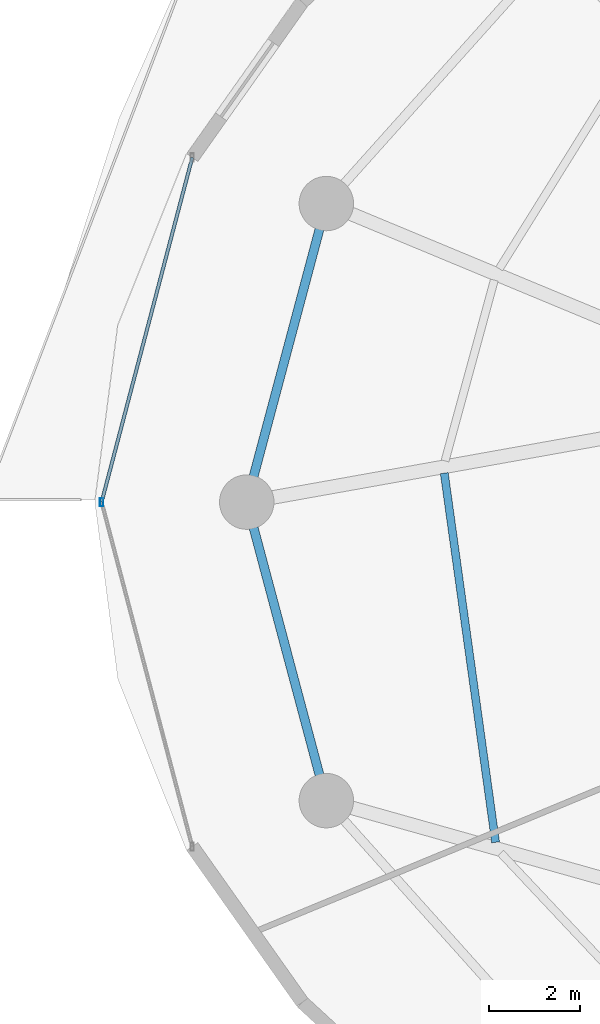
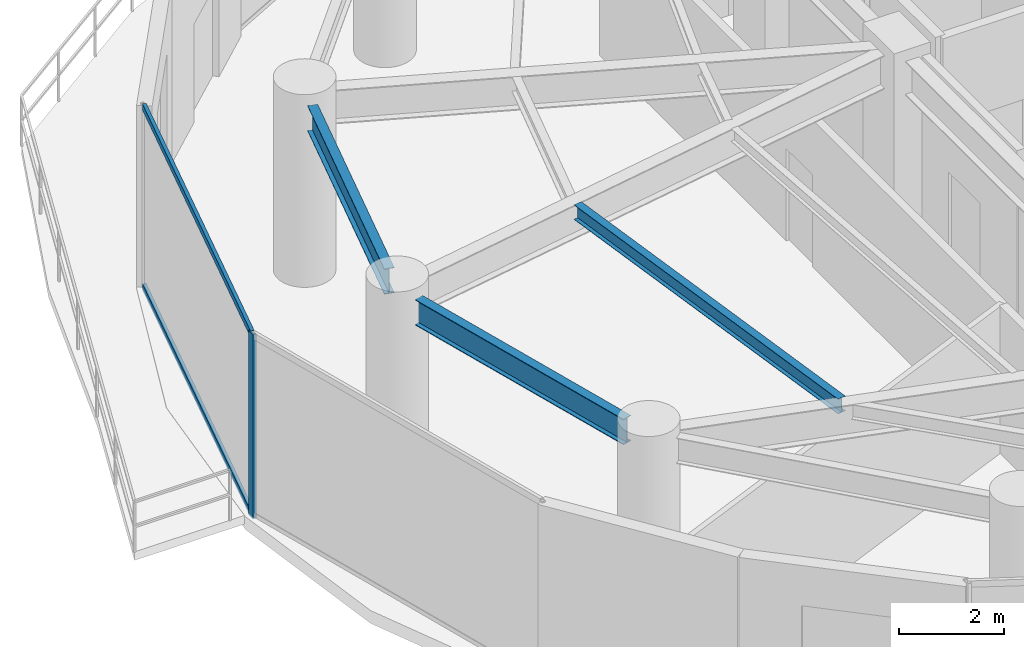
# One storey, part 6 of 27: 3 beams, 3 members, 1 element without a shape of its own.
"""IFC4 building model written with IfcOpenShell, lengths in metres."""

from ifc_helpers import new_model, si_unit, direction, frame, origin, origin_2d, place, context, subcontext, project, spatial, hollow_rectangle, i_section, extrude, material, material_profile, profile_set, type_object, element, aggregate, save


model = new_model("IFC4")

# Units and contexts
model_context = context("Model", 3, precision=1e-05, world=origin(), true_north=direction((0.0, 1.0)))
body_context = subcontext(model_context, "Body", "Model", "MODEL_VIEW")
ifc_project = project(units=[si_unit("LENGTHUNIT", "METRE"), si_unit("AREAUNIT", "SQUARE_METRE"), si_unit("VOLUMEUNIT", "CUBIC_METRE"), si_unit("PLANEANGLEUNIT", "RADIAN"), si_unit("MASSUNIT", "GRAM", prefix="KILO")], contexts=[model_context])

# Site, building, storey
site_placement = place(None, origin())
site = spatial("IfcSite", under=ifc_project, at=site_placement, CompositionType="ELEMENT")
building_placement = place(site_placement, origin())
building = spatial("IfcBuilding", under=site, at=building_placement, Name="Vorneva Point Tower", CompositionType="ELEMENT")
storey_placement = place(building_placement, frame((0.0, 0.0, 74.300048828125)))
storey = spatial("IfcBuildingStorey", under=building, at=storey_placement, Name="L19", CompositionType="ELEMENT", Elevation=74.300048828125)

# Beams
ifc_material_1 = material(Name="Steel S355", Category="steel")
ifc_material_profile_1 = material_profile(ifc_material_1, i_section(OverallWidth=0.174072265625, OverallDepth=0.345947265625, WebThickness=0.006103515625, FlangeThickness=0.009033203125, at=origin_2d()), Name="35B1")
ifc_profile_set_1 = profile_set([ifc_material_profile_1], Name="Steel S355")
beam_type_1 = type_object("IfcBeamType", Name="BM-SEC-35B1", PredefinedType="BEAM", material=ifc_profile_set_1)
beam_placement = place(storey_placement, frame((19.305419921875, 26.638916015625, 4.06689453125), z_axis=(0.137660661466, -0.990479450713, 0.0), x_axis=(0.990479450713, 0.137660661466, 0.0)))
element("IfcBeam", 1, at=beam_placement, inside=storey, type_object=beam_type_1, Name="L19 Secondary Floor Beam 1.09", PredefinedType="BEAM", context=body_context, shape_type="SweptSolid", body=[
    extrude(i_section(OverallWidth=0.174072265625, OverallDepth=0.345947265625, WebThickness=0.006103515625, FlangeThickness=0.009033203125, at=origin_2d()), origin(), (0.0, 0.0, 1.0), 8.21826171875),
])
ifc_material_profile_2 = material_profile(ifc_material_1, i_section(OverallWidth=0.198974609375, OverallDepth=0.595947265625, WebThickness=0.010009765625, FlangeThickness=0.014892578125, at=origin_2d()), Name="60B1")
ifc_profile_set_2 = profile_set([ifc_material_profile_2], Name="Steel S355")
beam_type_2 = type_object("IfcBeamType", Name="BM-SPN-60B1", PredefinedType="SPANDREL", material=ifc_profile_set_2)
for number, where, z_axis, x_axis, name in (
    (2, (16.553955078125, 32.016845703125, 3.94189453125), (-0.257595318742, -0.96625289224, 0.0), (0.96625289224, -0.257595318742, 0.0), "L19 Perimeter Spandrel Ring Beam 08"),
    (3, (15.1005859375, 25.434814453125, 3.94189453125), (0.257595318742, -0.96625289224, 0.0), (0.96625289224, 0.257595318742, 0.0), "L19 Perimeter Spandrel Ring Beam 09"),
):
    element("IfcBeam", number, at=place(storey_placement, frame(where, z_axis=z_axis, x_axis=x_axis)), inside=storey, type_object=beam_type_2, Name=name, PredefinedType="SPANDREL", context=body_context, shape_type="SweptSolid", body=[
        extrude(i_section(OverallWidth=0.198974609375, OverallDepth=0.595947265625, WebThickness=0.010009765625, FlangeThickness=0.014892578125, at=origin_2d()), origin(), (0.0, 0.0, 1.0), 5.64208984375),
    ])

# Curtain wall, members
ifc_material_2 = material(Name="Pale anodised aluminium", Category="aluminium")
curtain_wall_type = type_object("IfcCurtainWallType", Name="CW-SKY-SYS", PredefinedType="NOTDEFINED", material=ifc_material_2)
curtain_wall_placement = place(storey_placement, origin())
curtain_wall = element("IfcCurtainWall", 4, at=curtain_wall_placement, inside=storey, type_object=curtain_wall_type, Name="L19 Unitised Curtain Wall CW-L19-R03", PredefinedType="NOTDEFINED")
ifc_material_profile_3 = material_profile(ifc_material_2, hollow_rectangle(XDim=0.074951171875, YDim=0.179931640625, WallThickness=0.00390625, at=origin_2d()), Name="AL-MUL 180x75x4")
ifc_profile_set_3 = profile_set([ifc_material_profile_3], Name="Pale anodised aluminium")
member_type_1 = type_object("IfcMemberType", Name="CW-MUL-180", PredefinedType="MULLION", material=ifc_profile_set_3)
member_1_placement = place(storey_placement, frame((11.75, 26.0, -0.0400390625), z_axis=(0.0, 0.0, 1.0), x_axis=(1.0, 0.0, 0.0)))
member_1 = element("IfcMember", 5, at=member_1_placement, type_object=member_type_1, Name="CW-L19-R03 Mullion 02", PredefinedType="MULLION", context=body_context, shape_type="SweptSolid", body=[
    extrude(hollow_rectangle(XDim=0.074951171875, YDim=0.179931640625, WallThickness=0.00390625, at=origin_2d()), origin(), (0.0, 0.0, 1.0), 4.31005859375),
])
ifc_material_profile_4 = material_profile(ifc_material_2, hollow_rectangle(XDim=0.074951171875, YDim=0.14990234375, WallThickness=0.00390625, at=origin_2d()), Name="AL-TRN 150x75x4")
ifc_profile_set_4 = profile_set([ifc_material_profile_4], Name="Pale anodised aluminium")
member_type_2 = type_object("IfcMemberType", Name="CW-TRN-150", PredefinedType="USERDEFINED", material=ifc_profile_set_4)
member_2_placement = place(storey_placement, frame((13.748291015625, 33.59619140625, 0.02001953125), z_axis=(-0.254409150465, -0.967096677773, 0.0), x_axis=(0.967096677773, -0.254409150465, 0.0)))
member_2 = element("IfcMember", 6, at=member_2_placement, type_object=member_type_2, Name="CW-L19-R03 Transom 01.1", ObjectType="TRANSOM", PredefinedType="USERDEFINED", context=body_context, shape_type="SweptSolid", body=[
    extrude(hollow_rectangle(XDim=0.074951171875, YDim=0.14990234375, WallThickness=0.00390625, at=origin_2d()), origin(), (0.0, 0.0, 1.0), 7.854736328125),
])
member_3_placement = place(storey_placement, frame((13.748291015625, 33.59619140625, 4.219970703125), z_axis=(-0.254409150465, -0.967096677773, 0.0), x_axis=(0.967096677773, -0.254409150465, 0.0)))
member_3 = element("IfcMember", 7, at=member_3_placement, type_object=member_type_2, Name="CW-L19-R03 Transom 01.2", ObjectType="TRANSOM", PredefinedType="USERDEFINED", context=body_context, shape_type="SweptSolid", body=[
    extrude(hollow_rectangle(XDim=0.074951171875, YDim=0.14990234375, WallThickness=0.00390625, at=origin_2d()), origin(), (0.0, 0.0, 1.0), 7.854736328125),
])
aggregate(curtain_wall, [member_1, member_2, member_3])

save(model, "model.ifc")
